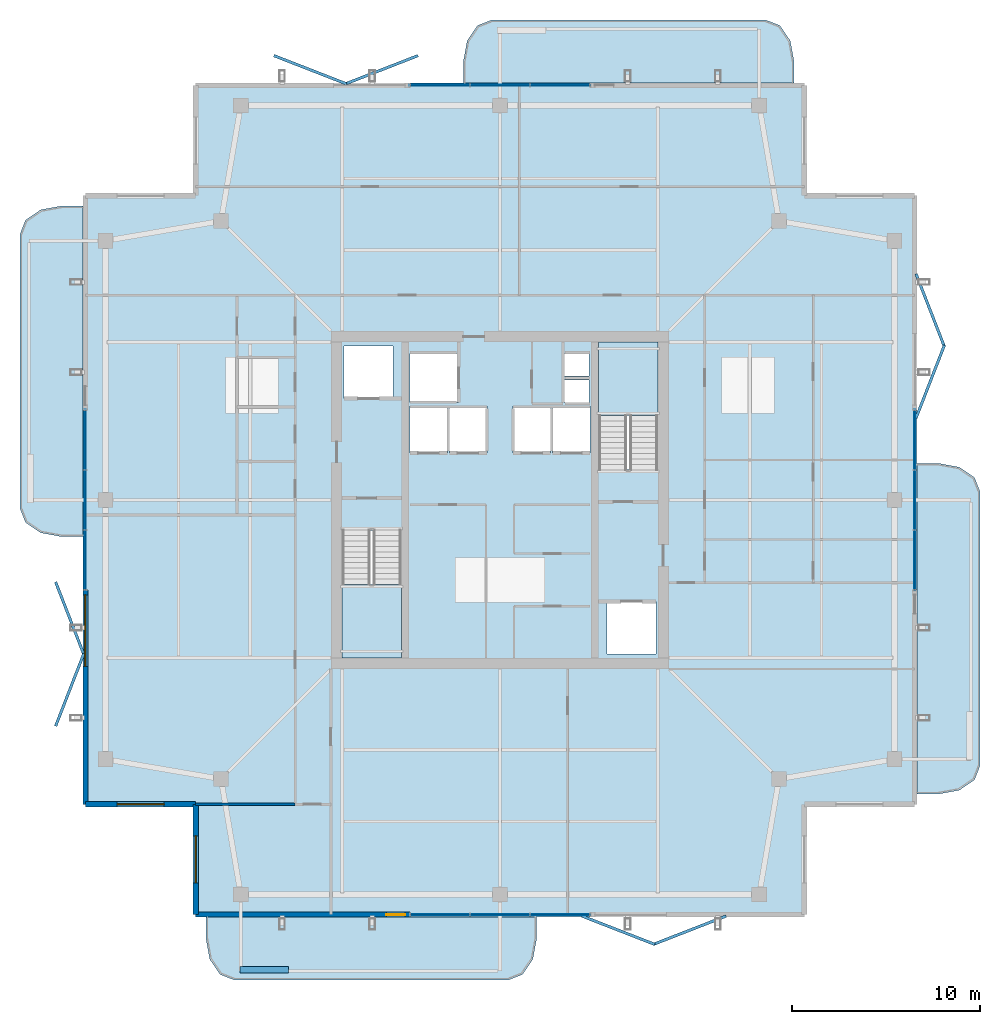
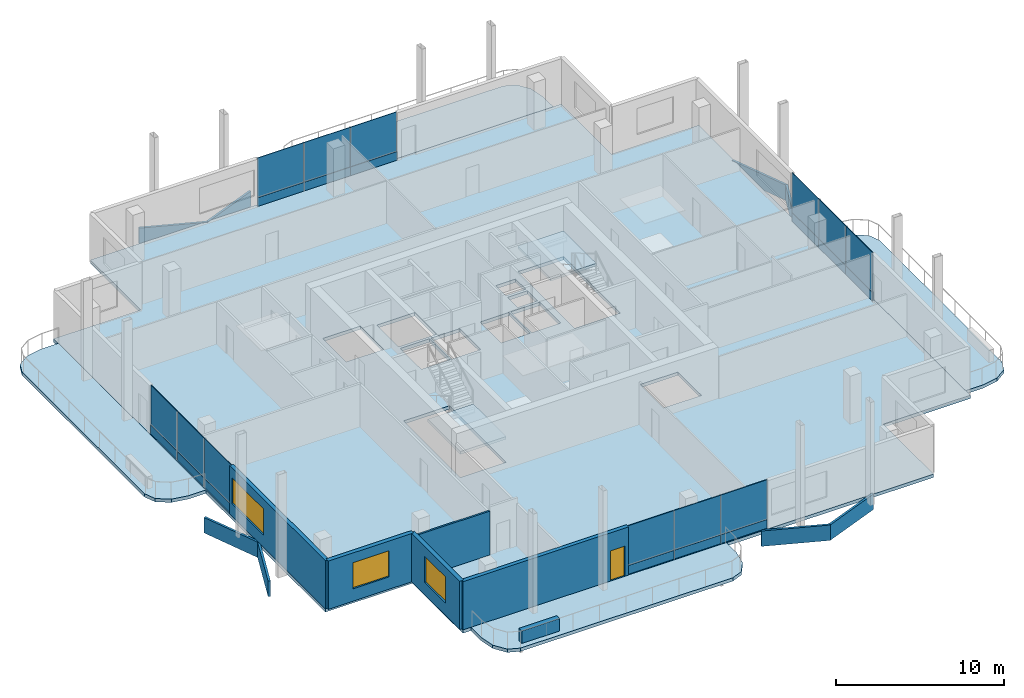
# One storey, part 15 of 22: 32 plates, 7 slabs, 6 walls, 3 windows, 1 door, 4 openings, 6 elements without a shape of their own.
"""IFC4 building model written with IfcOpenShell, lengths in metres."""

import ifcopenshell
import ifcopenshell.guid

model = None  # the IFC model being written
_history = None  # IfcOwnerHistory: only IFC2X3 demands one
_inside = {}  # id of a spatial element -> (the spatial element, [elements in it])
_under = {}  # id of a project, library or spatial element -> (it, [spatial elements below it])
_declared = {}  # id of a project -> (the project, [libraries it declares])
_typed = {}  # id of a type object -> (the type object, [elements of that type])
_made_of = {}  # id of a material, layer set ... -> (it, [elements and type objects made of it])


def new_model(schema):
    """Start an empty IFC model of exactly this schema.

    Asked for "IFC4X3", IfcOpenShell would pick the latest addendum, in which some entities
    have other attributes; the version numbers below select the first issue.
    IFC2X3 requires an IfcOwnerHistory on every rooted entity: one is made here for all.
    """
    global model, _history
    if schema == "IFC4X3":
        model = ifcopenshell.file(schema_version=(4, 3, 0, 0))
    else:
        model = ifcopenshell.file(schema=schema)
    _inside.clear()
    _under.clear()
    _declared.clear()
    _typed.clear()
    _made_of.clear()
    _history = None
    if model.schema == "IFC2X3":
        org = make("IfcOrganization", Name="unknown")
        user = make(
            "IfcPersonAndOrganization",
            ThePerson=make("IfcPerson", FamilyName="unknown"),
            TheOrganization=org,
        )
        app = make(
            "IfcApplication",
            ApplicationDeveloper=org,
            Version="unknown",
            ApplicationFullName="unknown",
            ApplicationIdentifier="unknown",
        )
        _history = make(
            "IfcOwnerHistory",
            OwningUser=user,
            OwningApplication=app,
            ChangeAction="ADDED",
            CreationDate=0,
        )
    return model


def make(cls, **values):
    """One entity of the class cls with the attributes given. An attribute that is None is left unset."""
    return model.create_entity(
        cls, **{name: value for name, value in values.items() if value is not None}
    )


def rooted(cls, **values):
    """An entity with a GlobalId (a new one), such as an element, a storey or a relation."""
    return make(cls, GlobalId=ifcopenshell.guid.new(), OwnerHistory=_history, **values)


def si_unit(unit_type, name, prefix=None):
    """IfcSIUnit, for example si_unit("LENGTHUNIT", "METRE", prefix="MILLI")."""
    return make("IfcSIUnit", UnitType=unit_type, Prefix=prefix, Name=name)


def assignment(units):
    """IfcUnitAssignment: the units of a project."""
    return None if units is None else make("IfcUnitAssignment", Units=units)


def point(xyz):
    """IfcCartesianPoint."""
    return None if xyz is None else make("IfcCartesianPoint", Coordinates=xyz)


def direction(xyz):
    """IfcDirection."""
    return None if xyz is None else make("IfcDirection", DirectionRatios=xyz)


def frame(location, z_axis=None, x_axis=None):
    """IfcAxis2Placement3D, a coordinate frame: its origin and axes. An axis left out is left unset."""
    return make(
        "IfcAxis2Placement3D",
        Location=point(location),
        Axis=direction(z_axis),
        RefDirection=direction(x_axis),
    )


def frame_2d(location, x_axis=None):
    """IfcAxis2Placement2D, a coordinate frame in the plane: its origin and x axis."""
    return make(
        "IfcAxis2Placement2D", Location=point(location), RefDirection=direction(x_axis)
    )


def origin():
    """The frame at (0, 0, 0) with its axes left unset."""
    return frame((0.0, 0.0, 0.0))


def origin_2d():
    """The frame at (0, 0) in the plane with its x axis left unset."""
    return frame_2d((0.0, 0.0))


def place(relative_to, where):
    """IfcLocalPlacement: puts the frame where relative to a parent placement (None: the world)."""
    return make(
        "IfcLocalPlacement", PlacementRelTo=relative_to, RelativePlacement=where
    )


def context(
    kind, dimensions, precision=None, world=None, true_north=None, identifier=None
):
    """IfcGeometricRepresentationContext, for example the 3D "Model" context."""
    return make(
        "IfcGeometricRepresentationContext",
        ContextIdentifier=identifier,
        ContextType=kind,
        CoordinateSpaceDimension=dimensions,
        Precision=precision,
        WorldCoordinateSystem=world,
        TrueNorth=true_north,
    )


def subcontext(parent, identifier, kind, view, scale=None):
    """IfcGeometricRepresentationSubContext, for example "Body" below "Model"."""
    return make(
        "IfcGeometricRepresentationSubContext",
        ContextIdentifier=identifier,
        ContextType=kind,
        ParentContext=parent,
        TargetScale=scale,
        TargetView=view,
    )


def project(units=None, contexts=None):
    """IfcProject with its units and contexts."""
    return rooted(
        "IfcProject",
        Name="project",
        RepresentationContexts=contexts,
        UnitsInContext=assignment(units),
    )


def spatial(cls, under=None, at=None, **own):
    """A site, building, storey or space (cls), placed at a placement, below another one or the project."""
    s = rooted(cls, ObjectPlacement=at, **own)
    if under is not None:
        _under.setdefault(under.id(), (under, []))[1].append(s)
    return s


def polyline(points):
    """IfcPolyline through the points."""
    return make("IfcPolyline", Points=[point(p) for p in points])


def profile(cls, at=None, kind="AREA", **sizes):
    """A parametric profile (cls). Its sizes go by their IFC names, for example OverallWidth=200.0."""
    return make(cls, ProfileType=kind, Position=at, **sizes)


def rectangle(**sizes):
    """IfcRectangleProfileDef."""
    return profile("IfcRectangleProfileDef", **sizes)


def outline(outer, holes=None, kind="AREA"):
    """IfcArbitraryClosedProfileDef: a profile drawn as a closed curve; with holes, ...WithVoids."""
    if holes is None:
        return make("IfcArbitraryClosedProfileDef", ProfileType=kind, OuterCurve=outer)
    return make(
        "IfcArbitraryProfileDefWithVoids",
        ProfileType=kind,
        OuterCurve=outer,
        InnerCurves=holes,
    )


def extrude(swept, where, along, depth):
    """IfcExtrudedAreaSolid: the profile swept, set in the frame where, extruded along a direction by depth."""
    return make(
        "IfcExtrudedAreaSolid",
        SweptArea=swept,
        Position=where,
        ExtrudedDirection=direction(along),
        Depth=depth,
    )


def shape(context_of_items, identifier, shape_type, items):
    """IfcShapeRepresentation: the items that make up one representation, for example the "Body"."""
    return make(
        "IfcShapeRepresentation",
        ContextOfItems=context_of_items,
        RepresentationIdentifier=identifier,
        RepresentationType=shape_type,
        Items=items,
    )


def material(Name=None, Category=None):
    """IfcMaterial."""
    return make("IfcMaterial", Name=Name, Category=Category)


def layer(
    of_material, thickness, ventilated=None, Name=None, Category=None, Priority=None
):
    """IfcMaterialLayer: one layer of a wall or slab, of a material (None: an air gap)."""
    return make(
        "IfcMaterialLayer",
        Material=of_material,
        LayerThickness=thickness,
        IsVentilated=ventilated,
        Name=Name,
        Category=Category,
        Priority=Priority,
    )


def layer_set(layers, Name=None):
    """IfcMaterialLayerSet."""
    return make("IfcMaterialLayerSet", MaterialLayers=layers, LayerSetName=Name)


def made_of(thing, what):
    """Note that an element or type object is made of a material, layer set ...; save() writes the relation."""
    if what is not None:
        _made_of.setdefault(what.id(), (what, []))[1].append(thing)
    return thing


def type_object(cls, material=None, **own):
    """A type object (cls), such as IfcWallType, which elements share."""
    return made_of(rooted(cls, **own), material)


def element(
    cls,
    number,
    at=None,
    inside=None,
    cuts=None,
    type_object=None,
    material=None,
    context=None,
    identifier="Body",
    shape_type=None,
    held_by="IfcProductDefinitionShape",
    body=None,
    shapes=None,
    **own,
):
    """One element of the class cls, such as IfcWall. Its Tag is "e" and its number.

    at: its placement. inside: the storey or other place that contains it. cuts: it is an
    opening in that element (IfcRelVoidsElement). A single representation is given by context,
    identifier, shape_type and body (its items); several are given by shapes. held_by: the class
    of the entity that holds the representations. save() writes the other relations.
    """
    e = rooted(cls, Tag="e%d" % number, ObjectPlacement=at, **own)
    if body is not None:
        shapes = [shape(context, identifier, shape_type, body)]
    if shapes is not None:
        e.Representation = make(held_by, Representations=shapes)
    if inside is not None:
        _inside.setdefault(inside.id(), (inside, []))[1].append(e)
    if cuts is not None:
        rooted(
            "IfcRelVoidsElement", RelatingBuildingElement=cuts, RelatedOpeningElement=e
        )
    if type_object is not None:
        _typed.setdefault(type_object.id(), (type_object, []))[1].append(e)
    return made_of(e, material)


def fill(opening, filler):
    """IfcRelFillsElement: the door or window that sits in an opening."""
    return rooted(
        "IfcRelFillsElement",
        RelatingOpeningElement=opening,
        RelatedBuildingElement=filler,
    )


def aggregate(whole, parts):
    """IfcRelAggregates: a whole, such as a stair, and the parts it consists of."""
    return rooted("IfcRelAggregates", RelatingObject=whole, RelatedObjects=parts)


def save(model, path):
    """Write the relations noted so far, then the file.

    IfcRelAggregates (storeys below a building ...), IfcRelContainedInSpatialStructure (elements
    in a storey), IfcRelDefinesByType, IfcRelAssociatesMaterial and IfcRelDeclares: one each for
    every whole, place, type object, material and project.
    """
    for whole, parts in _under.values():
        aggregate(whole, parts)
    for where, things in _inside.values():
        rooted(
            "IfcRelContainedInSpatialStructure",
            RelatedElements=things,
            RelatingStructure=where,
        )
    for kind, things in _typed.values():
        rooted("IfcRelDefinesByType", RelatedObjects=things, RelatingType=kind)
    for what, things in _made_of.values():
        rooted("IfcRelAssociatesMaterial", RelatedObjects=things, RelatingMaterial=what)
    for by, libraries in _declared.values():
        rooted("IfcRelDeclares", RelatingContext=by, RelatedDefinitions=libraries)
    model.write(path)


model = new_model("IFC4")

# Units and contexts
model_context = context("Model", 3, precision=1e-05, world=origin(), true_north=direction((0.0, 1.0)))
body_context = subcontext(model_context, "Body", "Model", "MODEL_VIEW")
ifc_project = project(units=[si_unit("LENGTHUNIT", "METRE"), si_unit("AREAUNIT", "SQUARE_METRE"), si_unit("VOLUMEUNIT", "CUBIC_METRE"), si_unit("PLANEANGLEUNIT", "RADIAN"), si_unit("MASSUNIT", "GRAM", prefix="KILO")], contexts=[model_context])

# Site, building, storey
site_placement = place(None, origin())
site = spatial("IfcSite", under=ifc_project, at=site_placement, CompositionType="ELEMENT")
building_placement = place(site_placement, origin())
building = spatial("IfcBuilding", under=site, at=building_placement, Name="Belovzor Exchange Tower", CompositionType="ELEMENT")
storey_placement = place(building_placement, frame((0.0, 0.0, 336.75)))
storey = spatial("IfcBuildingStorey", under=building, at=storey_placement, Name="L84", CompositionType="ELEMENT", Elevation=336.75)

# Slab
ifc_material_1 = material(Name="Concrete C40/50", Category="concrete")
ifc_layer_1 = layer(ifc_material_1, 0.239990234375)
ifc_layer_set_1 = layer_set([ifc_layer_1], Name="Concrete C40/50")
slab_type_1 = type_object("IfcSlabType", Name="Composite High-Rise Floor Deck Slab 240", PredefinedType="FLOOR", material=ifc_layer_set_1)
slab_1_placement = place(storey_placement, frame((0.0, 0.0, -0.239990234375)))
element("IfcSlab", 1, at=slab_1_placement, inside=storey, type_object=slab_type_1, Name="SL-F240 Structural Slab L84", PredefinedType="FLOOR", context=body_context, shape_type="SweptSolid", body=[
    extrude(outline(polyline([(12.60009765625, 6.60009765625), (45.0, 6.60009765625), (45.0, 12.60009765625), (51.0, 12.60009765625), (51.0, 45.0), (45.0, 45.0), (45.0, 51.0), (12.60009765625, 51.0), (12.60009765625, 45.0), (6.60009765625, 45.0), (6.60009765625, 12.60009765625), (12.60009765625, 12.60009765625), (12.60009765625, 6.60009765625)]), holes=[polyline([(20.39990234375, 27.175048828125), (20.39990234375, 20.39990234375), (23.550048828125, 20.39990234375), (23.550048828125, 27.175048828125), (20.39990234375, 27.175048828125)]), polyline([(37.199951171875, 30.425048828125), (37.199951171875, 37.199951171875), (34.050048828125, 37.199951171875), (34.050048828125, 30.425048828125), (37.199951171875, 30.425048828125)]), polyline([(20.5, 34.199951171875), (23.10009765625, 34.199951171875), (23.10009765625, 37.0), (20.5, 37.0), (20.5, 34.199951171875)]), polyline([(34.5, 20.60009765625), (37.10009765625, 20.60009765625), (37.10009765625, 23.39990234375), (34.5, 23.39990234375), (34.5, 20.60009765625)]), polyline([(24.0, 34.0), (26.60009765625, 34.0), (26.60009765625, 36.60009765625), (24.0, 36.60009765625), (24.0, 34.0)]), polyline([(24.0, 31.300048828125), (26.0, 31.300048828125), (26.0, 33.800048828125), (24.0, 33.800048828125), (24.0, 31.300048828125)]), polyline([(26.10009765625, 31.300048828125), (28.10009765625, 31.300048828125), (28.10009765625, 33.800048828125), (26.10009765625, 33.800048828125), (26.10009765625, 31.300048828125)]), polyline([(29.5, 31.300048828125), (31.5, 31.300048828125), (31.5, 33.800048828125), (29.5, 33.800048828125), (29.5, 31.300048828125)]), polyline([(31.60009765625, 31.300048828125), (33.60009765625, 31.300048828125), (33.60009765625, 33.800048828125), (31.60009765625, 33.800048828125), (31.60009765625, 31.300048828125)]), polyline([(32.199951171875, 34.0), (33.550048828125, 34.0), (33.550048828125, 35.199951171875), (32.199951171875, 35.199951171875), (32.199951171875, 34.0)]), polyline([(32.199951171875, 35.39990234375), (33.550048828125, 35.39990234375), (33.550048828125, 36.60009765625), (32.199951171875, 36.60009765625), (32.199951171875, 35.39990234375)])]), origin(), (0.0, 0.0, 1.0), 0.239990234375),
])

# Curtain wall, plates
ifc_material_2 = material(Name="Anodised Aluminium Framing", Category="aluminium")
ifc_layer_2 = layer(ifc_material_2, 0.179931640625)
ifc_layer_set_2 = layer_set([ifc_layer_2], Name="Anodised Aluminium Framing")
curtain_wall_type = type_object("IfcCurtainWallType", Name="Recessed Loggia Low-Iron Triple-Glazed Curtain Wall", PredefinedType="NOTDEFINED", material=ifc_layer_set_2)
curtain_wall_1_placement = place(storey_placement, origin())
curtain_wall_1 = element("IfcCurtainWall", 2, at=curtain_wall_1_placement, inside=storey, type_object=curtain_wall_type, Name="CW3 Recessed Loggia Low-Iron Triple-Glazed Curtain Wall L84", PredefinedType="NOTDEFINED")
ifc_material_3 = material(Name="Solar-Control Triple Glazing", Category="glass")
ifc_layer_3 = layer(ifc_material_3, 0.0439453125)
ifc_layer_set_3 = layer_set([ifc_layer_3], Name="Solar-Control Triple Glazing")
plate_type_1 = type_object("IfcPlateType", Name="Insulated Solar Glazing Curtain Panel 44", PredefinedType="CURTAIN_PANEL", material=ifc_layer_set_3)
plate_1_placement = place(storey_placement, frame((32.0, 6.72998046875, 0.634033203125), z_axis=(0.0, 0.0, 1.0), x_axis=(-1.0, 0.0, 0.0)))
plate_1 = element("IfcPlate", 3, at=plate_1_placement, type_object=plate_type_1, Name="GLZ-44 Glazed Curtain Panel 1", PredefinedType="CURTAIN_PANEL", context=body_context, shape_type="SweptSolid", body=[
    extrude(rectangle(XDim=3.18408203125, YDim=0.0439453125, at=origin_2d()), origin(), (0.0, 0.0, 1.0), 2.8759765625),
])
plate_2_placement = place(storey_placement, frame((28.800048828125, 6.72998046875, 0.634033203125), z_axis=(0.0, 0.0, 1.0), x_axis=(-1.0, 0.0, 0.0)))
plate_2 = element("IfcPlate", 4, at=plate_2_placement, type_object=plate_type_1, Name="GLZ-44 Glazed Curtain Panel 2", PredefinedType="CURTAIN_PANEL", context=body_context, shape_type="SweptSolid", body=[
    extrude(rectangle(XDim=3.18408203125, YDim=0.0439453125, at=origin_2d()), origin(), (0.0, 0.0, 1.0), 2.8759765625),
])
plate_3_placement = place(storey_placement, frame((25.60009765625, 6.72998046875, 0.634033203125), z_axis=(0.0, 0.0, 1.0), x_axis=(-1.0, 0.0, 0.0)))
plate_3 = element("IfcPlate", 5, at=plate_3_placement, type_object=plate_type_1, Name="GLZ-44 Glazed Curtain Panel 3", PredefinedType="CURTAIN_PANEL", context=body_context, shape_type="SweptSolid", body=[
    extrude(rectangle(XDim=3.18408203125, YDim=0.0439453125, at=origin_2d()), origin(), (0.0, 0.0, 1.0), 2.8759765625),
])

curtain_wall_2_placement = place(storey_placement, origin())
curtain_wall_2 = element("IfcCurtainWall", 6, at=curtain_wall_2_placement, inside=storey, type_object=curtain_wall_type, Name="CW3 Recessed Loggia Low-Iron Triple-Glazed Curtain Wall L84", PredefinedType="NOTDEFINED")
plate_4_placement = place(storey_placement, frame((25.60009765625, 50.8701171875, 0.634033203125), z_axis=(0.0, 0.0, 1.0), x_axis=(1.0, 0.0, 0.0)))
plate_4 = element("IfcPlate", 7, at=plate_4_placement, type_object=plate_type_1, Name="GLZ-44 Glazed Curtain Panel 1", PredefinedType="CURTAIN_PANEL", context=body_context, shape_type="SweptSolid", body=[
    extrude(rectangle(XDim=3.18408203125, YDim=0.0439453125, at=origin_2d()), origin(), (0.0, 0.0, 1.0), 2.8759765625),
])
plate_5_placement = place(storey_placement, frame((28.800048828125, 50.8701171875, 0.634033203125), z_axis=(0.0, 0.0, 1.0), x_axis=(1.0, 0.0, 0.0)))
plate_5 = element("IfcPlate", 8, at=plate_5_placement, type_object=plate_type_1, Name="GLZ-44 Glazed Curtain Panel 2", PredefinedType="CURTAIN_PANEL", context=body_context, shape_type="SweptSolid", body=[
    extrude(rectangle(XDim=3.18408203125, YDim=0.0439453125, at=origin_2d()), origin(), (0.0, 0.0, 1.0), 2.8759765625),
])
plate_6_placement = place(storey_placement, frame((32.0, 50.8701171875, 0.634033203125), z_axis=(0.0, 0.0, 1.0), x_axis=(1.0, 0.0, 0.0)))
plate_6 = element("IfcPlate", 9, at=plate_6_placement, type_object=plate_type_1, Name="GLZ-44 Glazed Curtain Panel 3", PredefinedType="CURTAIN_PANEL", context=body_context, shape_type="SweptSolid", body=[
    extrude(rectangle(XDim=3.18408203125, YDim=0.0439453125, at=origin_2d()), origin(), (0.0, 0.0, 1.0), 2.8759765625),
])

curtain_wall_3_placement = place(storey_placement, origin())
curtain_wall_3 = element("IfcCurtainWall", 10, at=curtain_wall_3_placement, inside=storey, type_object=curtain_wall_type, Name="CW3 Recessed Loggia Low-Iron Triple-Glazed Curtain Wall L84", PredefinedType="NOTDEFINED")
plate_7_placement = place(storey_placement, frame((6.72998046875, 25.60009765625, 0.634033203125), z_axis=(0.0, 0.0, 1.0), x_axis=(0.0, 1.0, 0.0)))
plate_7 = element("IfcPlate", 11, at=plate_7_placement, type_object=plate_type_1, Name="GLZ-44 Glazed Curtain Panel 1", PredefinedType="CURTAIN_PANEL", context=body_context, shape_type="SweptSolid", body=[
    extrude(rectangle(XDim=3.18408203125, YDim=0.0439453125, at=origin_2d()), origin(), (0.0, 0.0, 1.0), 2.8759765625),
])
plate_8_placement = place(storey_placement, frame((6.72998046875, 28.800048828125, 0.634033203125), z_axis=(0.0, 0.0, 1.0), x_axis=(0.0, 1.0, 0.0)))
plate_8 = element("IfcPlate", 12, at=plate_8_placement, type_object=plate_type_1, Name="GLZ-44 Glazed Curtain Panel 2", PredefinedType="CURTAIN_PANEL", context=body_context, shape_type="SweptSolid", body=[
    extrude(rectangle(XDim=3.18408203125, YDim=0.0439453125, at=origin_2d()), origin(), (0.0, 0.0, 1.0), 2.8759765625),
])
plate_9_placement = place(storey_placement, frame((6.72998046875, 32.0, 0.634033203125), z_axis=(0.0, 0.0, 1.0), x_axis=(0.0, 1.0, 0.0)))
plate_9 = element("IfcPlate", 13, at=plate_9_placement, type_object=plate_type_1, Name="GLZ-44 Glazed Curtain Panel 3", PredefinedType="CURTAIN_PANEL", context=body_context, shape_type="SweptSolid", body=[
    extrude(rectangle(XDim=3.18408203125, YDim=0.0439453125, at=origin_2d()), origin(), (0.0, 0.0, 1.0), 2.8759765625),
])

curtain_wall_4_placement = place(storey_placement, origin())
curtain_wall_4 = element("IfcCurtainWall", 14, at=curtain_wall_4_placement, inside=storey, type_object=curtain_wall_type, Name="CW3 Recessed Loggia Low-Iron Triple-Glazed Curtain Wall L84", PredefinedType="NOTDEFINED")
plate_10_placement = place(storey_placement, frame((50.8701171875, 32.0, 0.634033203125), z_axis=(0.0, 0.0, 1.0), x_axis=(0.0, -1.0, 0.0)))
plate_10 = element("IfcPlate", 15, at=plate_10_placement, type_object=plate_type_1, Name="GLZ-44 Glazed Curtain Panel 1", PredefinedType="CURTAIN_PANEL", context=body_context, shape_type="SweptSolid", body=[
    extrude(rectangle(XDim=3.18408203125, YDim=0.0439453125, at=origin_2d()), origin(), (0.0, 0.0, 1.0), 2.8759765625),
])
plate_11_placement = place(storey_placement, frame((50.8701171875, 28.800048828125, 0.634033203125), z_axis=(0.0, 0.0, 1.0), x_axis=(0.0, -1.0, 0.0)))
plate_11 = element("IfcPlate", 16, at=plate_11_placement, type_object=plate_type_1, Name="GLZ-44 Glazed Curtain Panel 2", PredefinedType="CURTAIN_PANEL", context=body_context, shape_type="SweptSolid", body=[
    extrude(rectangle(XDim=3.18408203125, YDim=0.0439453125, at=origin_2d()), origin(), (0.0, 0.0, 1.0), 2.8759765625),
])
plate_12_placement = place(storey_placement, frame((50.8701171875, 25.60009765625, 0.634033203125), z_axis=(0.0, 0.0, 1.0), x_axis=(0.0, -1.0, 0.0)))
plate_12 = element("IfcPlate", 17, at=plate_12_placement, type_object=plate_type_1, Name="GLZ-44 Glazed Curtain Panel 3", PredefinedType="CURTAIN_PANEL", context=body_context, shape_type="SweptSolid", body=[
    extrude(rectangle(XDim=3.18408203125, YDim=0.0439453125, at=origin_2d()), origin(), (0.0, 0.0, 1.0), 2.8759765625),
])

# Stair, slab
ifc_material_4 = material(Name="Concrete C40/50", Category="concrete")
stair_type = type_object("IfcStairType", Name="Reinforced Concrete Dogleg Escape Stair 1350", PredefinedType="HALF_TURN_STAIR", material=ifc_material_4)
stair_1_placement = place(storey_placement, origin())
stair_1 = element("IfcStair", 18, at=stair_1_placement, inside=storey, type_object=stair_type, Name="L84 ST-1", PredefinedType="HALF_TURN_STAIR")
ifc_material_5 = material(Name="Concrete C40/50", Category="concrete")
ifc_layer_4 = layer(ifc_material_5, 0.199951171875)
ifc_layer_set_4 = layer_set([ifc_layer_4], Name="Concrete C40/50")
slab_type_2 = type_object("IfcSlabType", Name="Reinforced Concrete Stair Half-Landing Slab 200", PredefinedType="LANDING", material=ifc_layer_set_4)
slab_2_placement = place(storey_placement, frame((0.0, 0.0, 1.675048828125)))
slab_2 = element("IfcSlab", 19, at=slab_2_placement, type_object=slab_type_2, Name="ST-1 landing 1", PredefinedType="LANDING", context=body_context, shape_type="SweptSolid", body=[
    extrude(outline(polyline([(20.39990234375, 24.300048828125), (20.39990234375, 20.39990234375), (23.550048828125, 20.39990234375), (23.550048828125, 24.300048828125), (20.39990234375, 24.300048828125)])), origin(), (0.0, 0.0, 1.0), 0.199951171875),
])
aggregate(stair_1, [slab_2])

stair_2_placement = place(storey_placement, origin())
stair_2 = element("IfcStair", 20, at=stair_2_placement, inside=storey, type_object=stair_type, Name="L84 ST-2", PredefinedType="HALF_TURN_STAIR")
slab_3_placement = place(storey_placement, frame((0.0, 0.0, 1.675048828125)))
slab_3 = element("IfcSlab", 21, at=slab_3_placement, type_object=slab_type_2, Name="ST-2 landing 1", PredefinedType="LANDING", context=body_context, shape_type="SweptSolid", body=[
    extrude(outline(polyline([(37.199951171875, 33.300048828125), (37.199951171875, 37.199951171875), (34.050048828125, 37.199951171875), (34.050048828125, 33.300048828125), (37.199951171875, 33.300048828125)])), origin(), (0.0, 0.0, 1.0), 0.199951171875),
])
aggregate(stair_2, [slab_3])

# Plate
ifc_material_6 = material(Name="Extruded Architectural Terracotta", Category="masonry")
ifc_layer_5 = layer(ifc_material_6, 0.090087890625)
ifc_layer_set_5 = layer_set([ifc_layer_5], Name="Extruded Architectural Terracotta")
plate_type_2 = type_object("IfcPlateType", Name="Terracotta Shadow-Box Spandrel Panel 90", PredefinedType="CURTAIN_PANEL", material=ifc_layer_set_5)
plate_13_placement = place(storey_placement, frame((32.0, 6.72998046875, 0.0), z_axis=(0.0, 0.0, 1.0), x_axis=(-1.0, 0.0, 0.0)))
plate_13 = element("IfcPlate", 22, at=plate_13_placement, type_object=plate_type_2, Name="SPD-90 Spandrel Panel 1", PredefinedType="CURTAIN_PANEL", context=body_context, shape_type="SweptSolid", body=[
    extrude(rectangle(XDim=3.18408203125, YDim=0.090087890625, at=origin_2d()), origin(), (0.0, 0.0, 1.0), 0.6298828125),
])

plate_14_placement = place(storey_placement, frame((28.800048828125, 6.72998046875, 0.0), z_axis=(0.0, 0.0, 1.0), x_axis=(-1.0, 0.0, 0.0)))
plate_14 = element("IfcPlate", 23, at=plate_14_placement, type_object=plate_type_2, Name="SPD-90 Spandrel Panel 2", PredefinedType="CURTAIN_PANEL", context=body_context, shape_type="SweptSolid", body=[
    extrude(rectangle(XDim=3.18408203125, YDim=0.090087890625, at=origin_2d()), origin(), (0.0, 0.0, 1.0), 0.6298828125),
])

plate_15_placement = place(storey_placement, frame((25.60009765625, 6.72998046875, 0.0), z_axis=(0.0, 0.0, 1.0), x_axis=(-1.0, 0.0, 0.0)))
plate_15 = element("IfcPlate", 24, at=plate_15_placement, type_object=plate_type_2, Name="SPD-90 Spandrel Panel 3", PredefinedType="CURTAIN_PANEL", context=body_context, shape_type="SweptSolid", body=[
    extrude(rectangle(XDim=3.18408203125, YDim=0.090087890625, at=origin_2d()), origin(), (0.0, 0.0, 1.0), 0.6298828125),
])

aggregate(curtain_wall_1, [plate_13, plate_1, plate_14, plate_2, plate_15, plate_3])

plate_16_placement = place(storey_placement, frame((25.60009765625, 50.8701171875, 0.0), z_axis=(0.0, 0.0, 1.0), x_axis=(1.0, 0.0, 0.0)))
plate_16 = element("IfcPlate", 25, at=plate_16_placement, type_object=plate_type_2, Name="SPD-90 Spandrel Panel 1", PredefinedType="CURTAIN_PANEL", context=body_context, shape_type="SweptSolid", body=[
    extrude(rectangle(XDim=3.18408203125, YDim=0.090087890625, at=origin_2d()), origin(), (0.0, 0.0, 1.0), 0.6298828125),
])

plate_17_placement = place(storey_placement, frame((28.800048828125, 50.8701171875, 0.0), z_axis=(0.0, 0.0, 1.0), x_axis=(1.0, 0.0, 0.0)))
plate_17 = element("IfcPlate", 26, at=plate_17_placement, type_object=plate_type_2, Name="SPD-90 Spandrel Panel 2", PredefinedType="CURTAIN_PANEL", context=body_context, shape_type="SweptSolid", body=[
    extrude(rectangle(XDim=3.18408203125, YDim=0.090087890625, at=origin_2d()), origin(), (0.0, 0.0, 1.0), 0.6298828125),
])

plate_18_placement = place(storey_placement, frame((32.0, 50.8701171875, 0.0), z_axis=(0.0, 0.0, 1.0), x_axis=(1.0, 0.0, 0.0)))
plate_18 = element("IfcPlate", 27, at=plate_18_placement, type_object=plate_type_2, Name="SPD-90 Spandrel Panel 3", PredefinedType="CURTAIN_PANEL", context=body_context, shape_type="SweptSolid", body=[
    extrude(rectangle(XDim=3.18408203125, YDim=0.090087890625, at=origin_2d()), origin(), (0.0, 0.0, 1.0), 0.6298828125),
])

aggregate(curtain_wall_2, [plate_16, plate_4, plate_17, plate_5, plate_18, plate_6])

plate_19_placement = place(storey_placement, frame((6.72998046875, 25.60009765625, 0.0), z_axis=(0.0, 0.0, 1.0), x_axis=(0.0, 1.0, 0.0)))
plate_19 = element("IfcPlate", 28, at=plate_19_placement, type_object=plate_type_2, Name="SPD-90 Spandrel Panel 1", PredefinedType="CURTAIN_PANEL", context=body_context, shape_type="SweptSolid", body=[
    extrude(rectangle(XDim=3.18408203125, YDim=0.090087890625, at=origin_2d()), origin(), (0.0, 0.0, 1.0), 0.6298828125),
])

plate_20_placement = place(storey_placement, frame((6.72998046875, 28.800048828125, 0.0), z_axis=(0.0, 0.0, 1.0), x_axis=(0.0, 1.0, 0.0)))
plate_20 = element("IfcPlate", 29, at=plate_20_placement, type_object=plate_type_2, Name="SPD-90 Spandrel Panel 2", PredefinedType="CURTAIN_PANEL", context=body_context, shape_type="SweptSolid", body=[
    extrude(rectangle(XDim=3.18408203125, YDim=0.090087890625, at=origin_2d()), origin(), (0.0, 0.0, 1.0), 0.6298828125),
])

plate_21_placement = place(storey_placement, frame((6.72998046875, 32.0, 0.0), z_axis=(0.0, 0.0, 1.0), x_axis=(0.0, 1.0, 0.0)))
plate_21 = element("IfcPlate", 30, at=plate_21_placement, type_object=plate_type_2, Name="SPD-90 Spandrel Panel 3", PredefinedType="CURTAIN_PANEL", context=body_context, shape_type="SweptSolid", body=[
    extrude(rectangle(XDim=3.18408203125, YDim=0.090087890625, at=origin_2d()), origin(), (0.0, 0.0, 1.0), 0.6298828125),
])

aggregate(curtain_wall_3, [plate_19, plate_7, plate_20, plate_8, plate_21, plate_9])

plate_22_placement = place(storey_placement, frame((50.8701171875, 32.0, 0.0), z_axis=(0.0, 0.0, 1.0), x_axis=(0.0, -1.0, 0.0)))
plate_22 = element("IfcPlate", 31, at=plate_22_placement, type_object=plate_type_2, Name="SPD-90 Spandrel Panel 1", PredefinedType="CURTAIN_PANEL", context=body_context, shape_type="SweptSolid", body=[
    extrude(rectangle(XDim=3.18408203125, YDim=0.090087890625, at=origin_2d()), origin(), (0.0, 0.0, 1.0), 0.6298828125),
])

plate_23_placement = place(storey_placement, frame((50.8701171875, 28.800048828125, 0.0), z_axis=(0.0, 0.0, 1.0), x_axis=(0.0, -1.0, 0.0)))
plate_23 = element("IfcPlate", 32, at=plate_23_placement, type_object=plate_type_2, Name="SPD-90 Spandrel Panel 2", PredefinedType="CURTAIN_PANEL", context=body_context, shape_type="SweptSolid", body=[
    extrude(rectangle(XDim=3.18408203125, YDim=0.090087890625, at=origin_2d()), origin(), (0.0, 0.0, 1.0), 0.6298828125),
])

plate_24_placement = place(storey_placement, frame((50.8701171875, 25.60009765625, 0.0), z_axis=(0.0, 0.0, 1.0), x_axis=(0.0, -1.0, 0.0)))
plate_24 = element("IfcPlate", 33, at=plate_24_placement, type_object=plate_type_2, Name="SPD-90 Spandrel Panel 3", PredefinedType="CURTAIN_PANEL", context=body_context, shape_type="SweptSolid", body=[
    extrude(rectangle(XDim=3.18408203125, YDim=0.090087890625, at=origin_2d()), origin(), (0.0, 0.0, 1.0), 0.6298828125),
])

aggregate(curtain_wall_4, [plate_22, plate_10, plate_23, plate_11, plate_24, plate_12])

# Slabs
ifc_material_7 = material(Name="Concrete C40/50", Category="concrete")
ifc_layer_6 = layer(ifc_material_7, 0.239990234375)
ifc_layer_set_6 = layer_set([ifc_layer_6], Name="Concrete C40/50")
slab_type_3 = type_object("IfcSlabType", Name="Thermally Broken Upper Balcony Slab 240", PredefinedType="FLOOR", material=ifc_layer_set_6)
slab_4_placement = place(storey_placement, frame((0.0, 0.0, -0.239990234375)))
element("IfcSlab", 34, at=slab_4_placement, inside=storey, type_object=slab_type_3, Name="SL-BAL220 Planted Balcony Loggia L84 South", PredefinedType="FLOOR", context=body_context, shape_type="SweptSolid", body=[
    extrude(outline(polyline([(13.14990234375, 6.614990234375), (13.14990234375, 5.449951171875), (13.35107421875, 4.35009765625), (13.89990234375, 3.544921875), (14.64990234375, 3.25), (29.25, 3.25), (30.0, 3.544921875), (30.549072265625, 4.35009765625), (30.75, 5.449951171875), (30.75, 6.614990234375), (13.14990234375, 6.614990234375)])), origin(), (0.0, 0.0, 1.0), 0.239990234375),
])
slab_5_placement = place(storey_placement, frame((0.0, 0.0, -0.239990234375)))
element("IfcSlab", 35, at=slab_5_placement, inside=storey, type_object=slab_type_3, Name="SL-BAL220 Planted Balcony Loggia L84 North", PredefinedType="FLOOR", context=body_context, shape_type="SweptSolid", body=[
    extrude(outline(polyline([(44.449951171875, 50.985107421875), (44.449951171875, 52.14990234375), (44.2490234375, 53.25), (43.699951171875, 54.054931640625), (42.949951171875, 54.35009765625), (28.35009765625, 54.35009765625), (27.60009765625, 54.054931640625), (27.051025390625, 53.25), (26.85009765625, 52.14990234375), (26.85009765625, 50.985107421875), (44.449951171875, 50.985107421875)])), origin(), (0.0, 0.0, 1.0), 0.239990234375),
])
slab_6_placement = place(storey_placement, frame((0.0, 0.0, -0.239990234375)))
element("IfcSlab", 36, at=slab_6_placement, inside=storey, type_object=slab_type_3, Name="SL-BAL220 Planted Balcony Loggia L84 East", PredefinedType="FLOOR", context=body_context, shape_type="SweptSolid", body=[
    extrude(outline(polyline([(50.985107421875, 13.14990234375), (52.14990234375, 13.14990234375), (53.25, 13.35107421875), (54.054931640625, 13.89990234375), (54.35009765625, 14.64990234375), (54.35009765625, 29.25), (54.054931640625, 30.0), (53.25, 30.549072265625), (52.14990234375, 30.75), (50.985107421875, 30.75), (50.985107421875, 13.14990234375)])), origin(), (0.0, 0.0, 1.0), 0.239990234375),
])
slab_7_placement = place(storey_placement, frame((0.0, 0.0, -0.239990234375)))
element("IfcSlab", 37, at=slab_7_placement, inside=storey, type_object=slab_type_3, Name="SL-BAL220 Planted Balcony Loggia L84 West", PredefinedType="FLOOR", context=body_context, shape_type="SweptSolid", body=[
    extrude(outline(polyline([(6.614990234375, 44.449951171875), (5.449951171875, 44.449951171875), (4.35009765625, 44.2490234375), (3.544921875, 43.699951171875), (3.25, 42.949951171875), (3.25, 28.35009765625), (3.544921875, 27.60009765625), (4.35009765625, 27.051025390625), (5.449951171875, 26.85009765625), (6.614990234375, 26.85009765625), (6.614990234375, 44.449951171875)])), origin(), (0.0, 0.0, 1.0), 0.239990234375),
])

# Plates
ifc_material_8 = material(Name="Extruded Architectural Terracotta", Category="masonry")
ifc_layer_7 = layer(ifc_material_8, 0.14990234375)
ifc_layer_set_7 = layer_set([ifc_layer_7], Name="Extruded Architectural Terracotta")
plate_type_3 = type_object("IfcPlateType", Name="Upper-Crown Deep Folded Zigzag Terracotta Spandrel Louvre 150", PredefinedType="USERDEFINED", material=ifc_layer_set_7)
for number, where, z_axis, x_axis, name in (
    (38, (18.699951171875, 51.699951171875, -1.10498046875), (0.0, 0.0, 1.0), (0.931817969421, -0.362925986758, 0.0), "LVR-ZZ3 Zigzag Terracotta Spandrel Louvre L84 N1A"),
    (39, (22.5, 51.699951171875, -1.10498046875), (0.0, 0.0, 1.0), (0.931817969421, 0.362925986758, 0.0), "LVR-ZZ3 Zigzag Terracotta Spandrel Louvre L84 N1B"),
    (40, (5.89990234375, 18.699951171875, -1.10498046875), (0.0, 0.0, 1.0), (0.362925986758, 0.931817969421, 0.0), "LVR-ZZ3 Zigzag Terracotta Spandrel Louvre L84 W1A"),
    (41, (5.89990234375, 22.5, -1.10498046875), (0.0, 0.0, 1.0), (-0.362925986758, 0.931817969421, 0.0), "LVR-ZZ3 Zigzag Terracotta Spandrel Louvre L84 W1B"),
    (42, (35.10009765625, 5.89990234375, -1.10498046875), (0.0, 0.0, 1.0), (0.931817969421, -0.362925986758, 0.0), "LVR-ZZ3 Zigzag Terracotta Spandrel Louvre L84 S2A"),
    (43, (38.89990234375, 5.89990234375, -1.10498046875), (0.0, 0.0, 1.0), (0.931817969421, 0.362925986758, 0.0), "LVR-ZZ3 Zigzag Terracotta Spandrel Louvre L84 S2B"),
    (44, (51.699951171875, 35.10009765625, -1.10498046875), (0.0, 0.0, 1.0), (0.362925986758, 0.931817969421, 0.0), "LVR-ZZ3 Zigzag Terracotta Spandrel Louvre L84 E2A"),
    (45, (51.699951171875, 38.89990234375, -1.10498046875), (0.0, 0.0, 1.0), (-0.362925986758, 0.931817969421, 0.0), "LVR-ZZ3 Zigzag Terracotta Spandrel Louvre L84 E2B"),
):
    element("IfcPlate", number, at=place(storey_placement, frame(where, z_axis=z_axis, x_axis=x_axis)), inside=storey, type_object=plate_type_3, Name=name, ObjectType="SPANDREL_LOUVRE", PredefinedType="USERDEFINED", context=body_context, shape_type="SweptSolid", body=[
        extrude(rectangle(XDim=4.157958984375, YDim=0.14990234375, at=origin_2d()), origin(), (0.0, 0.0, 1.0), 1.1201171875),
    ])

# Wall
ifc_material_9 = material(Name="Acoustic Plasterboard on Galvanised Studs", Category="gypsum")
ifc_layer_8 = layer(ifc_material_9, 0.1201171875)
ifc_layer_set_8 = layer_set([ifc_layer_8], Name="Acoustic Plasterboard on Galvanised Studs")
wall_type_1 = type_object("IfcWallType", Name="Acoustic Double-Stud Partition Wall 120", PredefinedType="PARTITIONING", material=ifc_layer_set_8)
wall_1_placement = place(storey_placement, frame((12.60009765625, 12.60009765625, 0.0), z_axis=(0.0, 0.0, 1.0), x_axis=(1.0, 0.0, 0.0)))
element("IfcWall", 46, at=wall_1_placement, inside=storey, type_object=wall_type_1, Name="W-P120 Partition Wall W-L84-SWS", PredefinedType="PARTITIONING", context=body_context, shape_type="SweptSolid", body=[
    extrude(rectangle(XDim=5.2998046875, YDim=0.1201171875, at=frame_2d((2.64990234375, 0.0))), origin(), (0.0, 0.0, 1.0), 3.195068359375),
])

# Wall, opening, window
ifc_material_10 = material(Name="Precast concrete C40/50", Category="concrete")
ifc_layer_9 = layer(ifc_material_10, 0.280029296875)
ifc_layer_set_9 = layer_set([ifc_layer_9], Name="Precast concrete C40/50")
wall_type_2 = type_object("IfcWallType", Name="Precast Concrete Notched Corner Frame Wall 280", PredefinedType="SOLIDWALL", material=ifc_layer_set_9)
wall_2_placement = place(storey_placement, frame((12.60009765625, 6.72998046875, 0.0), z_axis=(0.0, 0.0, 1.0), x_axis=(0.0, 1.0, 0.0)))
wall_2 = element("IfcWall", 47, at=wall_2_placement, inside=storey, type_object=wall_type_2, Name="W-CRN280 Precast Concrete Notched Corner Frame Wall 280 L84", PredefinedType="SOLIDWALL", context=body_context, shape_type="SweptSolid", body=[
    extrude(rectangle(XDim=5.8701171875, YDim=0.280029296875, at=frame_2d((2.93505859375, 0.0))), origin(), (0.0, 0.0, 1.0), 3.510009765625),
])
opening_1_placement = place(wall_2_placement, frame((1.68505859375, 0.0, 0.89990234375)))
opening_1 = element("IfcOpeningElement", 48, at=opening_1_placement, cuts=wall_2, Name="Opening WN-CRN250", PredefinedType="OPENING", context=body_context, shape_type="SweptSolid", body=[
    extrude(rectangle(XDim=2.5, YDim=1.89990234375, at=frame_2d((1.25, 0.949951171875))), frame((0.0, 0.14990234375, 0.0), z_axis=(0.0, -1.0, 0.0), x_axis=(1.0, 0.0, 0.0)), (0.0, 0.0, 1.0), 0.300048828125),
])
ifc_material_11 = material(Name="Thermally Broken Aluminium and Triple Glazing", Category="aluminium")
window_type_1 = type_object("IfcWindowType", Name="Streamline Moderne Corner Wrap Ribbon Window 2500x1900", PartitioningType="SINGLE_PANEL", PredefinedType="WINDOW", material=ifc_material_11)
window_1_placement = place(opening_1_placement, origin())
window_1 = element("IfcWindow", 49, at=window_1_placement, inside=storey, type_object=window_type_1, Name="WN-CRN250 Streamline Moderne Corner Wrap Ribbon Window 2500x1900", OverallHeight=1.89990234375, OverallWidth=2.5, PartitioningType="SINGLE_PANEL", PredefinedType="WINDOW", context=body_context, shape_type="SweptSolid", body=[
    extrude(rectangle(XDim=2.5, YDim=1.89990234375, at=frame_2d((1.25, 0.949951171875))), frame((0.0, 0.030029296875, 0.0), z_axis=(0.0, -1.0, 0.0), x_axis=(1.0, 0.0, 0.0)), (0.0, 0.0, 1.0), 0.06005859375),
])
fill(opening_1, window_1)

wall_3_placement = place(storey_placement, frame((12.60009765625, 12.60009765625, 0.0), z_axis=(0.0, 0.0, 1.0), x_axis=(-1.0, 0.0, 0.0)))
wall_3 = element("IfcWall", 50, at=wall_3_placement, inside=storey, type_object=wall_type_2, Name="W-CRN280 Precast Concrete Notched Corner Frame Wall 280 L84", PredefinedType="SOLIDWALL", context=body_context, shape_type="SweptSolid", body=[
    extrude(rectangle(XDim=5.8701171875, YDim=0.280029296875, at=frame_2d((2.93505859375, 0.0))), origin(), (0.0, 0.0, 1.0), 3.510009765625),
])
opening_2_placement = place(wall_3_placement, frame((1.68505859375, 0.0, 0.89990234375)))
opening_2 = element("IfcOpeningElement", 51, at=opening_2_placement, cuts=wall_3, Name="Opening WN-CRN250", PredefinedType="OPENING", context=body_context, shape_type="SweptSolid", body=[
    extrude(rectangle(XDim=2.5, YDim=1.89990234375, at=frame_2d((1.25, 0.949951171875))), frame((0.0, 0.14990234375, 0.0), z_axis=(0.0, -1.0, 0.0), x_axis=(1.0, 0.0, 0.0)), (0.0, 0.0, 1.0), 0.300048828125),
])
window_2_placement = place(opening_2_placement, origin())
window_2 = element("IfcWindow", 52, at=window_2_placement, inside=storey, type_object=window_type_1, Name="WN-CRN250 Streamline Moderne Corner Wrap Ribbon Window 2500x1900", OverallHeight=1.89990234375, OverallWidth=2.5, PartitioningType="SINGLE_PANEL", PredefinedType="WINDOW", context=body_context, shape_type="SweptSolid", body=[
    extrude(rectangle(XDim=2.5, YDim=1.89990234375, at=frame_2d((1.25, 0.949951171875))), frame((0.0, 0.030029296875, 0.0), z_axis=(0.0, -1.0, 0.0), x_axis=(1.0, 0.0, 0.0)), (0.0, 0.0, 1.0), 0.06005859375),
])
fill(opening_2, window_2)

# Wall, opening, door
ifc_material_12 = material(Name="Precast concrete C40/50", Category="concrete")
ifc_layer_10 = layer(ifc_material_12, 0.260009765625)
ifc_layer_set_10 = layer_set([ifc_layer_10], Name="Precast concrete C40/50")
wall_type_3 = type_object("IfcWallType", Name="Precast Concrete Perimeter Loggia Frame Wall 260", PredefinedType="SOLIDWALL", material=ifc_layer_set_10)
wall_4_placement = place(storey_placement, frame((24.0, 6.72998046875, 0.0), z_axis=(0.0, 0.0, 1.0), x_axis=(-1.0, 0.0, 0.0)))
wall_4 = element("IfcWall", 53, at=wall_4_placement, inside=storey, type_object=wall_type_3, Name="W-EXT260 Precast Concrete Perimeter Loggia Frame Wall 260 L84", PredefinedType="SOLIDWALL", context=body_context, shape_type="SweptSolid", body=[
    extrude(rectangle(XDim=11.39990234375, YDim=0.260009765625, at=frame_2d((5.699951171875, 0.0))), origin(), (0.0, 0.0, 1.0), 3.510009765625),
])
opening_3_placement = place(wall_4_placement, frame((0.25, 0.0, 0.0)))
opening_3 = element("IfcOpeningElement", 54, at=opening_3_placement, cuts=wall_4, Name="Opening D-BAL100", PredefinedType="OPENING", context=body_context, shape_type="SweptSolid", body=[
    extrude(rectangle(XDim=1.0, YDim=2.199951171875, at=frame_2d((0.5, 1.10009765625))), frame((0.0, 0.139892578125, 0.0), z_axis=(0.0, -1.0, 0.0), x_axis=(1.0, 0.0, 0.0)), (0.0, 0.0, 1.0), 0.280029296875),
])
ifc_material_13 = material(Name="Thermally Broken Anodised Aluminium and Laminated Glass", Category="aluminium")
door_type = type_object("IfcDoorType", Name="Planted Loggia Terrace Glazed Door 1000x2200", OperationType="SINGLE_SWING_LEFT", PredefinedType="DOOR", material=ifc_material_13)
door_placement = place(opening_3_placement, origin())
door = element("IfcDoor", 55, at=door_placement, inside=storey, type_object=door_type, Name="D-BAL100 Balcony Terrace Door L84 S", OperationType="SINGLE_SWING_LEFT", OverallHeight=2.199951171875, OverallWidth=1.0, PredefinedType="DOOR", context=body_context, shape_type="SweptSolid", body=[
    extrude(rectangle(XDim=1.0, YDim=2.199951171875, at=frame_2d((0.5, 1.10009765625))), frame((0.0, 0.02490234375, 0.0), z_axis=(0.0, -1.0, 0.0), x_axis=(1.0, 0.0, 0.0)), (0.0, 0.0, 1.0), 0.050048828125),
])
fill(opening_3, door)

# Wall, opening, window
wall_5_placement = place(storey_placement, frame((6.72998046875, 12.60009765625, 0.0), z_axis=(0.0, 0.0, 1.0), x_axis=(0.0, 1.0, 0.0)))
wall_5 = element("IfcWall", 56, at=wall_5_placement, inside=storey, type_object=wall_type_3, Name="W-EXT260 Precast Concrete Perimeter Loggia Frame Wall 260 L84", PredefinedType="SOLIDWALL", context=body_context, shape_type="SweptSolid", body=[
    extrude(rectangle(XDim=11.39990234375, YDim=0.260009765625, at=frame_2d((5.699951171875, 0.0))), origin(), (0.0, 0.0, 1.0), 3.510009765625),
])
opening_4_placement = place(wall_5_placement, frame((7.35009765625, 0.0, 0.89990234375)))
opening_4 = element("IfcOpeningElement", 57, at=opening_4_placement, cuts=wall_5, Name="Opening WN-RIB380", PredefinedType="OPENING", context=body_context, shape_type="SweptSolid", body=[
    extrude(rectangle(XDim=3.800048828125, YDim=1.89990234375, at=frame_2d((1.89990234375, 0.949951171875))), frame((0.0, 0.139892578125, 0.0), z_axis=(0.0, -1.0, 0.0), x_axis=(1.0, 0.0, 0.0)), (0.0, 0.0, 1.0), 0.280029296875),
])
ifc_material_14 = material(Name="Thermally Broken Aluminium and Triple Glazing", Category="aluminium")
window_type_2 = type_object("IfcWindowType", Name="Streamline Moderne Horizontal Ribbon Window 3800x1900", PartitioningType="SINGLE_PANEL", PredefinedType="WINDOW", material=ifc_material_14)
window_3_placement = place(opening_4_placement, origin())
window_3 = element("IfcWindow", 58, at=window_3_placement, inside=storey, type_object=window_type_2, Name="WN-RIB380 Streamline Moderne Horizontal Ribbon Window 3800x1900", OverallHeight=1.89990234375, OverallWidth=3.800048828125, PartitioningType="SINGLE_PANEL", PredefinedType="WINDOW", context=body_context, shape_type="SweptSolid", body=[
    extrude(rectangle(XDim=3.800048828125, YDim=1.89990234375, at=frame_2d((1.89990234375, 0.949951171875))), frame((0.0, 0.030029296875, 0.0), z_axis=(0.0, -1.0, 0.0), x_axis=(1.0, 0.0, 0.0)), (0.0, 0.0, 1.0), 0.06005859375),
])
fill(opening_4, window_3)

# Wall
ifc_material_15 = material(Name="Precast concrete C40/50", Category="concrete")
ifc_layer_11 = layer(ifc_material_15, 0.35009765625)
ifc_layer_set_11 = layer_set([ifc_layer_11], Name="Precast concrete C40/50")
wall_type_4 = type_object("IfcWallType", Name="Precast Concrete Structural Tree Planter Trough 350", PredefinedType="PARAPET", material=ifc_layer_set_11)
wall_6_placement = place(storey_placement, frame((14.949951171875, 3.800048828125, 0.0), z_axis=(0.0, 0.0, 1.0), x_axis=(1.0, 0.0, 0.0)))
element("IfcWall", 59, at=wall_6_placement, inside=storey, type_object=wall_type_4, Name="PT-350 Precast Concrete Structural Tree Planter Trough 350 L84", PredefinedType="PARAPET", context=body_context, shape_type="SweptSolid", body=[
    extrude(rectangle(XDim=2.60009765625, YDim=0.35009765625, at=frame_2d((1.300048828125, 0.0))), origin(), (0.0, 0.0, 1.0), 0.89990234375),
])

save(model, "model.ifc")
